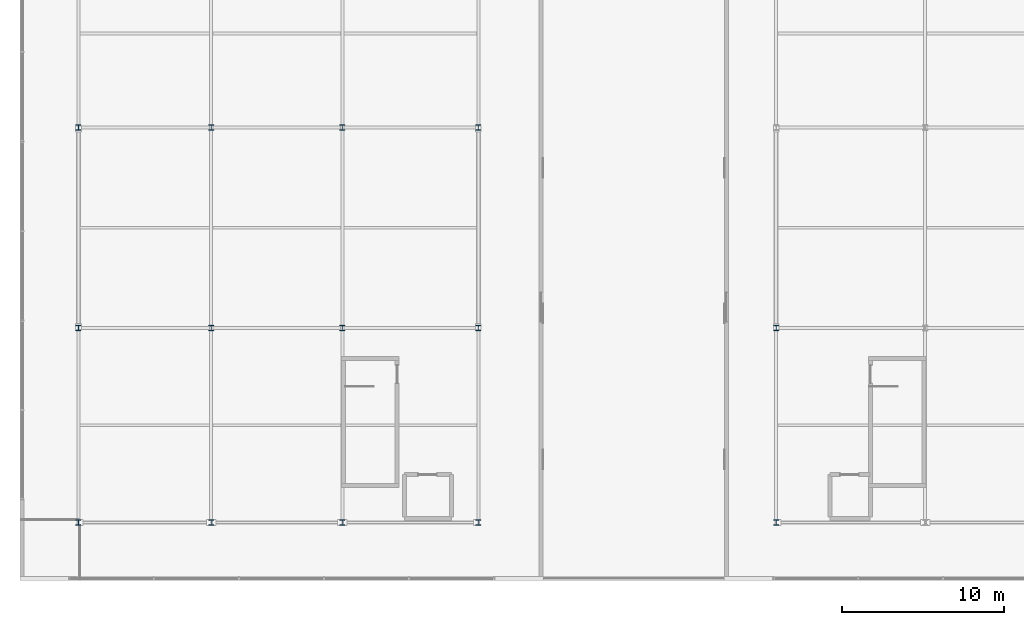
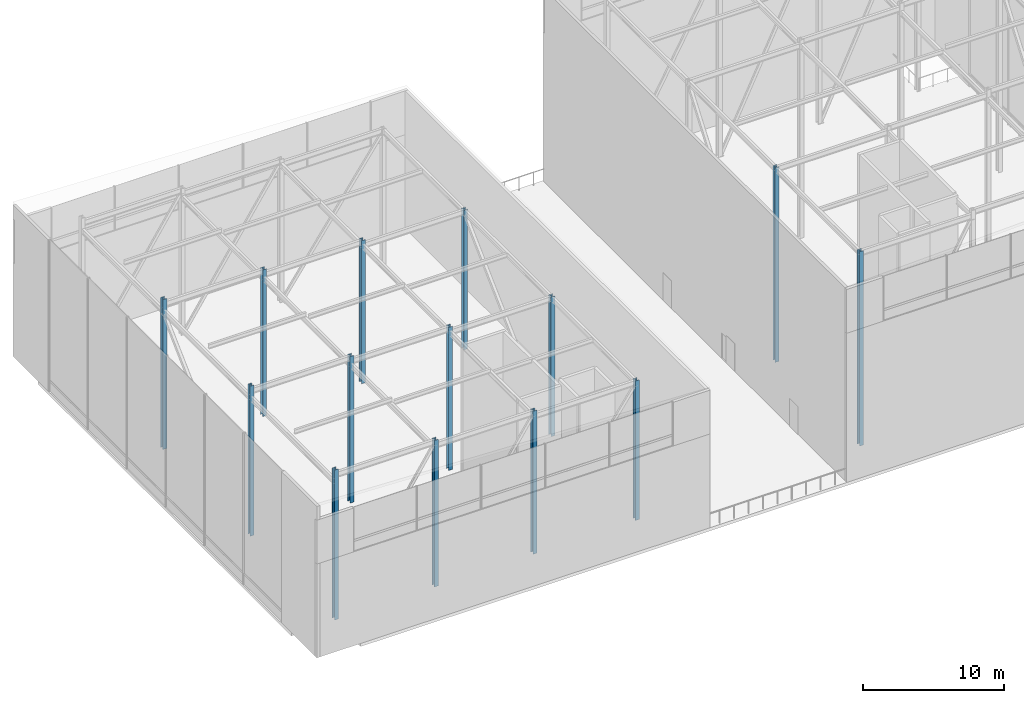
# One storey, part 1 of 39: 14 columns.
"""IFC4 building model written with IfcOpenShell, lengths in metres."""

from ifc_helpers import new_model, si_unit, direction, frame, origin, origin_2d, place, context, subcontext, project, spatial, i_section, extrude, material, material_profile, profile_set, type_object, element, save


model = new_model("IFC4")

# Units and contexts
model_context = context("Model", 3, precision=1e-05, world=origin(), true_north=direction((0.0, 1.0)))
body_context = subcontext(model_context, "Body", "Model", "MODEL_VIEW")
ifc_project = project(units=[si_unit("LENGTHUNIT", "METRE"), si_unit("AREAUNIT", "SQUARE_METRE"), si_unit("VOLUMEUNIT", "CUBIC_METRE"), si_unit("PLANEANGLEUNIT", "RADIAN"), si_unit("MASSUNIT", "GRAM", prefix="KILO")], contexts=[model_context])

# Site, building, storey
site_placement = place(None, origin())
site = spatial("IfcSite", under=ifc_project, at=site_placement, CompositionType="ELEMENT")
building_placement = place(site_placement, origin())
building = spatial("IfcBuilding", under=site, at=building_placement, Name="Korimba Cascade Residences", CompositionType="ELEMENT")
storey_placement = place(building_placement, frame((0.0, 0.0, 264.199951171875)))
storey = spatial("IfcBuildingStorey", under=building, at=storey_placement, Name="RF", CompositionType="ELEMENT", Elevation=264.199951171875)

# Columns
ifc_material = material(Name="Steel S355", Category="steel")
ifc_material_profile = material_profile(ifc_material, i_section(OverallWidth=0.314453125, OverallDepth=0.33984375, WebThickness=0.01904296875, FlangeThickness=0.031494140625, FilletRadius=0.01513671875, at=origin_2d()), Name="Steel S355")
ifc_profile_set = profile_set([ifc_material_profile], Name="Steel S355")
column_type = type_object("IfcColumnType", Name="COL-STL-UC198", PredefinedType="COLUMN", material=ifc_profile_set)
for number, where, z_axis, x_axis, name in (
    (1, (59.800048828125, 55.199951171875, 0.0), (0.0, 0.0, 1.0), (1.0, 0.0, 0.0), "RF Split-Top Crown Frame Post W1.1"),
    (2, (59.800048828125, 67.199951171875, 0.0), (0.0, 0.0, 1.0), (1.0, 0.0, 0.0), "RF Split-Top Crown Frame Post W1.2"),
    (3, (59.800048828125, 79.60009765625, 0.0), (0.0, 0.0, 1.0), (1.0, 0.0, 0.0), "RF Split-Top Crown Frame Post W1.3"),
):
    element("IfcColumn", number, at=place(storey_placement, frame(where, z_axis=z_axis, x_axis=x_axis)), inside=storey, type_object=column_type, Name=name, PredefinedType="COLUMN", context=body_context, shape_type="SweptSolid", body=[
        extrude(i_section(OverallWidth=0.314453125, OverallDepth=0.33984375, WebThickness=0.01904296875, FlangeThickness=0.031494140625, FilletRadius=0.01513671875, at=origin_2d()), origin(), (0.0, 0.0, 1.0), 13.016357421875),
    ])
for number, where, z_axis, x_axis, name in (
    (4, (68.0, 55.199951171875, 0.0), (0.0, 0.0, 1.0), (1.0, 0.0, 0.0), "RF Split-Top Crown Frame Post W2.1"),
    (5, (68.0, 67.199951171875, 0.0), (0.0, 0.0, 1.0), (1.0, 0.0, 0.0), "RF Split-Top Crown Frame Post W2.2"),
    (6, (68.0, 79.60009765625, 0.0), (0.0, 0.0, 1.0), (1.0, 0.0, 0.0), "RF Split-Top Crown Frame Post W2.3"),
):
    element("IfcColumn", number, at=place(storey_placement, frame(where, z_axis=z_axis, x_axis=x_axis)), inside=storey, type_object=column_type, Name=name, PredefinedType="COLUMN", context=body_context, shape_type="SweptSolid", body=[
        extrude(i_section(OverallWidth=0.314453125, OverallDepth=0.33984375, WebThickness=0.01904296875, FlangeThickness=0.031494140625, FilletRadius=0.01513671875, at=origin_2d()), origin(), (0.0, 0.0, 1.0), 12.711669921875),
    ])
for number, where, z_axis, x_axis, name in (
    (7, (76.10009765625, 55.199951171875, 0.0), (0.0, 0.0, 1.0), (1.0, 0.0, 0.0), "RF Split-Top Crown Frame Post W3.1"),
    (8, (76.10009765625, 67.199951171875, 0.0), (0.0, 0.0, 1.0), (1.0, 0.0, 0.0), "RF Split-Top Crown Frame Post W3.2"),
    (9, (76.10009765625, 79.60009765625, 0.0), (0.0, 0.0, 1.0), (1.0, 0.0, 0.0), "RF Split-Top Crown Frame Post W3.3"),
):
    element("IfcColumn", number, at=place(storey_placement, frame(where, z_axis=z_axis, x_axis=x_axis)), inside=storey, type_object=column_type, Name=name, PredefinedType="COLUMN", context=body_context, shape_type="SweptSolid", body=[
        extrude(i_section(OverallWidth=0.314453125, OverallDepth=0.33984375, WebThickness=0.01904296875, FlangeThickness=0.031494140625, FilletRadius=0.01513671875, at=origin_2d()), origin(), (0.0, 0.0, 1.0), 12.41064453125),
    ])
for number, where, z_axis, x_axis, name in (
    (10, (84.5, 55.199951171875, 0.0), (0.0, 0.0, 1.0), (1.0, 0.0, 0.0), "RF Split-Top Crown Frame Post W4.1"),
    (11, (84.5, 67.199951171875, 0.0), (0.0, 0.0, 1.0), (1.0, 0.0, 0.0), "RF Split-Top Crown Frame Post W4.2"),
    (12, (84.5, 79.60009765625, 0.0), (0.0, 0.0, 1.0), (1.0, 0.0, 0.0), "RF Split-Top Crown Frame Post W4.3"),
):
    element("IfcColumn", number, at=place(storey_placement, frame(where, z_axis=z_axis, x_axis=x_axis)), inside=storey, type_object=column_type, Name=name, PredefinedType="COLUMN", context=body_context, shape_type="SweptSolid", body=[
        extrude(i_section(OverallWidth=0.314453125, OverallDepth=0.33984375, WebThickness=0.01904296875, FlangeThickness=0.031494140625, FilletRadius=0.01513671875, at=origin_2d()), origin(), (0.0, 0.0, 1.0), 12.0986328125),
    ])
for number, where, z_axis, x_axis, name in (
    (13, (102.89990234375, 55.199951171875, 0.0), (0.0, 0.0, 1.0), (1.0, 0.0, 0.0), "RF Split-Top Crown Frame Post E1.1"),
    (14, (102.89990234375, 67.199951171875, 0.0), (0.0, 0.0, 1.0), (1.0, 0.0, 0.0), "RF Split-Top Crown Frame Post E1.2"),
):
    element("IfcColumn", number, at=place(storey_placement, frame(where, z_axis=z_axis, x_axis=x_axis)), inside=storey, type_object=column_type, Name=name, PredefinedType="COLUMN", context=body_context, shape_type="SweptSolid", body=[
        extrude(i_section(OverallWidth=0.314453125, OverallDepth=0.33984375, WebThickness=0.01904296875, FlangeThickness=0.031494140625, FilletRadius=0.01513671875, at=origin_2d()), origin(), (0.0, 0.0, 1.0), 16.868896484375),
    ])

save(model, "model.ifc")
